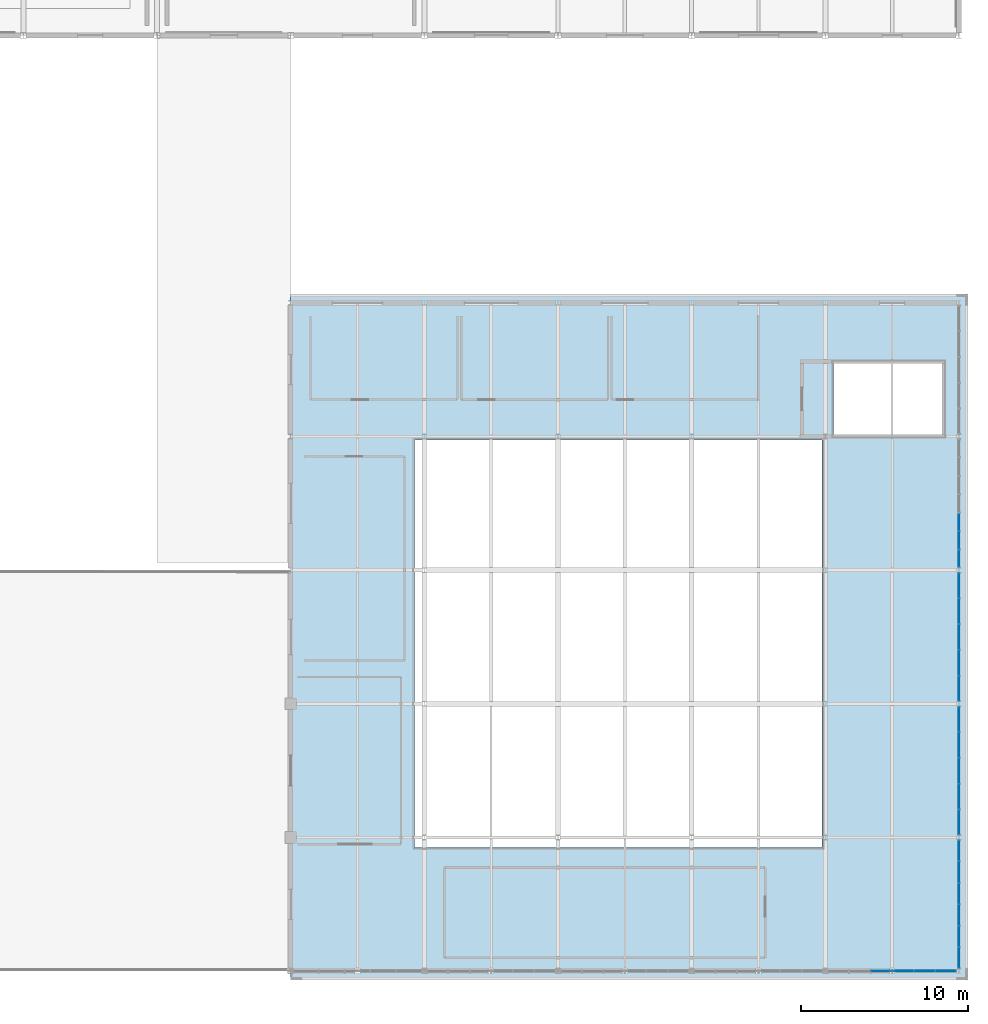
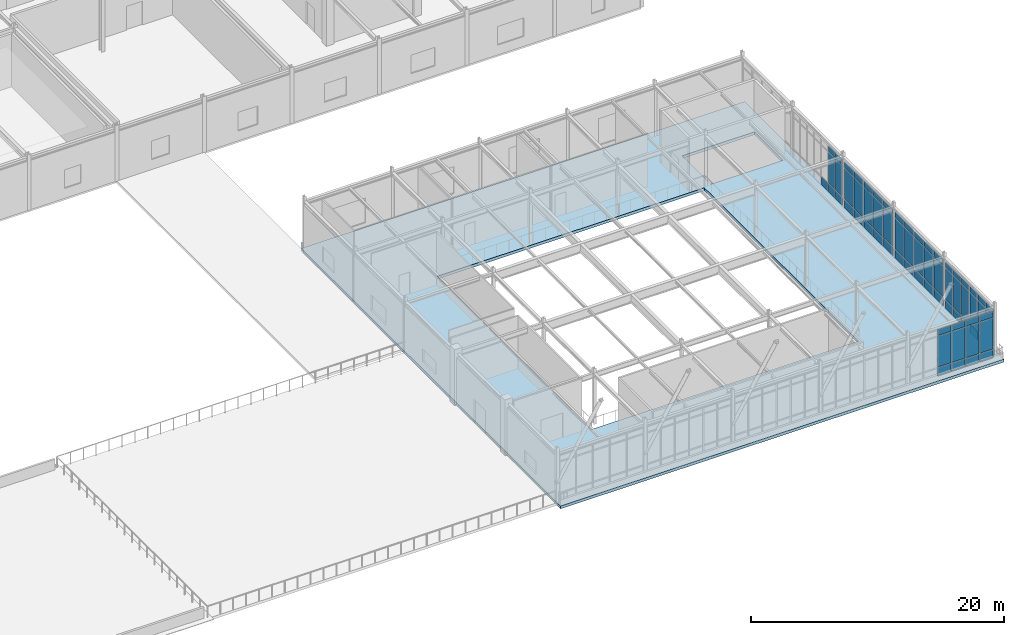
# One storey, part 69 of 108: 67 plates, 1 slab, 5 elements without a shape of their own.
"""IFC4 building model written with IfcOpenShell, lengths in metres."""

import ifcopenshell
import ifcopenshell.guid

model = None  # the IFC model being written
_history = None  # IfcOwnerHistory: only IFC2X3 demands one
_inside = {}  # id of a spatial element -> (the spatial element, [elements in it])
_under = {}  # id of a project, library or spatial element -> (it, [spatial elements below it])
_declared = {}  # id of a project -> (the project, [libraries it declares])
_typed = {}  # id of a type object -> (the type object, [elements of that type])
_made_of = {}  # id of a material, layer set ... -> (it, [elements and type objects made of it])


def new_model(schema):
    """Start an empty IFC model of exactly this schema.

    Asked for "IFC4X3", IfcOpenShell would pick the latest addendum, in which some entities
    have other attributes; the version numbers below select the first issue.
    IFC2X3 requires an IfcOwnerHistory on every rooted entity: one is made here for all.
    """
    global model, _history
    if schema == "IFC4X3":
        model = ifcopenshell.file(schema_version=(4, 3, 0, 0))
    else:
        model = ifcopenshell.file(schema=schema)
    _inside.clear()
    _under.clear()
    _declared.clear()
    _typed.clear()
    _made_of.clear()
    _history = None
    if model.schema == "IFC2X3":
        org = make("IfcOrganization", Name="unknown")
        user = make(
            "IfcPersonAndOrganization",
            ThePerson=make("IfcPerson", FamilyName="unknown"),
            TheOrganization=org,
        )
        app = make(
            "IfcApplication",
            ApplicationDeveloper=org,
            Version="unknown",
            ApplicationFullName="unknown",
            ApplicationIdentifier="unknown",
        )
        _history = make(
            "IfcOwnerHistory",
            OwningUser=user,
            OwningApplication=app,
            ChangeAction="ADDED",
            CreationDate=0,
        )
    return model


def make(cls, **values):
    """One entity of the class cls with the attributes given. An attribute that is None is left unset."""
    return model.create_entity(
        cls, **{name: value for name, value in values.items() if value is not None}
    )


def rooted(cls, **values):
    """An entity with a GlobalId (a new one), such as an element, a storey or a relation."""
    return make(cls, GlobalId=ifcopenshell.guid.new(), OwnerHistory=_history, **values)


def si_unit(unit_type, name, prefix=None):
    """IfcSIUnit, for example si_unit("LENGTHUNIT", "METRE", prefix="MILLI")."""
    return make("IfcSIUnit", UnitType=unit_type, Prefix=prefix, Name=name)


def assignment(units):
    """IfcUnitAssignment: the units of a project."""
    return None if units is None else make("IfcUnitAssignment", Units=units)


def point(xyz):
    """IfcCartesianPoint."""
    return None if xyz is None else make("IfcCartesianPoint", Coordinates=xyz)


def direction(xyz):
    """IfcDirection."""
    return None if xyz is None else make("IfcDirection", DirectionRatios=xyz)


def frame(location, z_axis=None, x_axis=None):
    """IfcAxis2Placement3D, a coordinate frame: its origin and axes. An axis left out is left unset."""
    return make(
        "IfcAxis2Placement3D",
        Location=point(location),
        Axis=direction(z_axis),
        RefDirection=direction(x_axis),
    )


def frame_2d(location, x_axis=None):
    """IfcAxis2Placement2D, a coordinate frame in the plane: its origin and x axis."""
    return make(
        "IfcAxis2Placement2D", Location=point(location), RefDirection=direction(x_axis)
    )


def origin():
    """The frame at (0, 0, 0) with its axes left unset."""
    return frame((0.0, 0.0, 0.0))


def origin_2d():
    """The frame at (0, 0) in the plane with its x axis left unset."""
    return frame_2d((0.0, 0.0))


def place(relative_to, where):
    """IfcLocalPlacement: puts the frame where relative to a parent placement (None: the world)."""
    return make(
        "IfcLocalPlacement", PlacementRelTo=relative_to, RelativePlacement=where
    )


def context(
    kind, dimensions, precision=None, world=None, true_north=None, identifier=None
):
    """IfcGeometricRepresentationContext, for example the 3D "Model" context."""
    return make(
        "IfcGeometricRepresentationContext",
        ContextIdentifier=identifier,
        ContextType=kind,
        CoordinateSpaceDimension=dimensions,
        Precision=precision,
        WorldCoordinateSystem=world,
        TrueNorth=true_north,
    )


def subcontext(parent, identifier, kind, view, scale=None):
    """IfcGeometricRepresentationSubContext, for example "Body" below "Model"."""
    return make(
        "IfcGeometricRepresentationSubContext",
        ContextIdentifier=identifier,
        ContextType=kind,
        ParentContext=parent,
        TargetScale=scale,
        TargetView=view,
    )


def project(units=None, contexts=None):
    """IfcProject with its units and contexts."""
    return rooted(
        "IfcProject",
        Name="project",
        RepresentationContexts=contexts,
        UnitsInContext=assignment(units),
    )


def spatial(cls, under=None, at=None, **own):
    """A site, building, storey or space (cls), placed at a placement, below another one or the project."""
    s = rooted(cls, ObjectPlacement=at, **own)
    if under is not None:
        _under.setdefault(under.id(), (under, []))[1].append(s)
    return s


def polyline(points):
    """IfcPolyline through the points."""
    return make("IfcPolyline", Points=[point(p) for p in points])


def profile(cls, at=None, kind="AREA", **sizes):
    """A parametric profile (cls). Its sizes go by their IFC names, for example OverallWidth=200.0."""
    return make(cls, ProfileType=kind, Position=at, **sizes)


def rectangle(**sizes):
    """IfcRectangleProfileDef."""
    return profile("IfcRectangleProfileDef", **sizes)


def outline(outer, holes=None, kind="AREA"):
    """IfcArbitraryClosedProfileDef: a profile drawn as a closed curve; with holes, ...WithVoids."""
    if holes is None:
        return make("IfcArbitraryClosedProfileDef", ProfileType=kind, OuterCurve=outer)
    return make(
        "IfcArbitraryProfileDefWithVoids",
        ProfileType=kind,
        OuterCurve=outer,
        InnerCurves=holes,
    )


def extrude(swept, where, along, depth):
    """IfcExtrudedAreaSolid: the profile swept, set in the frame where, extruded along a direction by depth."""
    return make(
        "IfcExtrudedAreaSolid",
        SweptArea=swept,
        Position=where,
        ExtrudedDirection=direction(along),
        Depth=depth,
    )


def shape(context_of_items, identifier, shape_type, items):
    """IfcShapeRepresentation: the items that make up one representation, for example the "Body"."""
    return make(
        "IfcShapeRepresentation",
        ContextOfItems=context_of_items,
        RepresentationIdentifier=identifier,
        RepresentationType=shape_type,
        Items=items,
    )


def material(Name=None, Category=None):
    """IfcMaterial."""
    return make("IfcMaterial", Name=Name, Category=Category)


def layer(
    of_material, thickness, ventilated=None, Name=None, Category=None, Priority=None
):
    """IfcMaterialLayer: one layer of a wall or slab, of a material (None: an air gap)."""
    return make(
        "IfcMaterialLayer",
        Material=of_material,
        LayerThickness=thickness,
        IsVentilated=ventilated,
        Name=Name,
        Category=Category,
        Priority=Priority,
    )


def layer_set(layers, Name=None):
    """IfcMaterialLayerSet."""
    return make("IfcMaterialLayerSet", MaterialLayers=layers, LayerSetName=Name)


def made_of(thing, what):
    """Note that an element or type object is made of a material, layer set ...; save() writes the relation."""
    if what is not None:
        _made_of.setdefault(what.id(), (what, []))[1].append(thing)
    return thing


def type_object(cls, material=None, **own):
    """A type object (cls), such as IfcWallType, which elements share."""
    return made_of(rooted(cls, **own), material)


def element(
    cls,
    number,
    at=None,
    inside=None,
    cuts=None,
    type_object=None,
    material=None,
    context=None,
    identifier="Body",
    shape_type=None,
    held_by="IfcProductDefinitionShape",
    body=None,
    shapes=None,
    **own,
):
    """One element of the class cls, such as IfcWall. Its Tag is "e" and its number.

    at: its placement. inside: the storey or other place that contains it. cuts: it is an
    opening in that element (IfcRelVoidsElement). A single representation is given by context,
    identifier, shape_type and body (its items); several are given by shapes. held_by: the class
    of the entity that holds the representations. save() writes the other relations.
    """
    e = rooted(cls, Tag="e%d" % number, ObjectPlacement=at, **own)
    if body is not None:
        shapes = [shape(context, identifier, shape_type, body)]
    if shapes is not None:
        e.Representation = make(held_by, Representations=shapes)
    if inside is not None:
        _inside.setdefault(inside.id(), (inside, []))[1].append(e)
    if cuts is not None:
        rooted(
            "IfcRelVoidsElement", RelatingBuildingElement=cuts, RelatedOpeningElement=e
        )
    if type_object is not None:
        _typed.setdefault(type_object.id(), (type_object, []))[1].append(e)
    return made_of(e, material)


def aggregate(whole, parts):
    """IfcRelAggregates: a whole, such as a stair, and the parts it consists of."""
    return rooted("IfcRelAggregates", RelatingObject=whole, RelatedObjects=parts)


def save(model, path):
    """Write the relations noted so far, then the file.

    IfcRelAggregates (storeys below a building ...), IfcRelContainedInSpatialStructure (elements
    in a storey), IfcRelDefinesByType, IfcRelAssociatesMaterial and IfcRelDeclares: one each for
    every whole, place, type object, material and project.
    """
    for whole, parts in _under.values():
        aggregate(whole, parts)
    for where, things in _inside.values():
        rooted(
            "IfcRelContainedInSpatialStructure",
            RelatedElements=things,
            RelatingStructure=where,
        )
    for kind, things in _typed.values():
        rooted("IfcRelDefinesByType", RelatedObjects=things, RelatingType=kind)
    for what, things in _made_of.values():
        rooted("IfcRelAssociatesMaterial", RelatedObjects=things, RelatingMaterial=what)
    for by, libraries in _declared.values():
        rooted("IfcRelDeclares", RelatingContext=by, RelatedDefinitions=libraries)
    model.write(path)


model = new_model("IFC4")

# Units and contexts
model_context = context("Model", 3, precision=1e-05, world=origin(), true_north=direction((0.0, 1.0)))
body_context = subcontext(model_context, "Body", "Model", "MODEL_VIEW")
ifc_project = project(units=[si_unit("LENGTHUNIT", "METRE"), si_unit("AREAUNIT", "SQUARE_METRE"), si_unit("VOLUMEUNIT", "CUBIC_METRE"), si_unit("PLANEANGLEUNIT", "RADIAN"), si_unit("MASSUNIT", "GRAM", prefix="KILO")], contexts=[model_context])

# Site, building, storey
site_placement = place(None, origin())
site = spatial("IfcSite", under=ifc_project, at=site_placement, CompositionType="ELEMENT")
building_placement = place(site_placement, origin())
building = spatial("IfcBuilding", under=site, at=building_placement, Name="Zhaolan Boulevard Law Courts", CompositionType="ELEMENT")
storey_placement = place(building_placement, frame((0.0, 0.0, 10.800048828125)))
storey = spatial("IfcBuildingStorey", under=building, at=storey_placement, Name="L02", CompositionType="ELEMENT", Elevation=10.800048828125)

# Curtain wall, plates
ifc_material_1 = material(Name="Thermally broken aluminium and low-E glazing", Category="aluminium")
curtain_wall_type_1 = type_object("IfcCurtainWallType", Name="CURTAIN WALL M14", PredefinedType="USERDEFINED", material=ifc_material_1)
curtain_wall_1_placement = place(storey_placement, origin())
curtain_wall_1 = element("IfcCurtainWall", 1, at=curtain_wall_1_placement, inside=storey, type_object=curtain_wall_type_1, Name="Curtain Wall CW-L02-086", ObjectType="CURTAIN WALL", PredefinedType="USERDEFINED")
ifc_material_2 = material(Name="Triple-silver low-E insulated glazing", Category="glass")
ifc_layer_1 = layer(ifc_material_2, 0.028076171875)
ifc_layer_set_1 = layer_set([ifc_layer_1])
plate_type = type_object("IfcPlateType", Name="CWPANEL LOW E28", PredefinedType="CURTAIN_PANEL", material=ifc_layer_set_1)
plate_1_placement = place(storey_placement, frame((159.3544921875, 6.0, 0.06494140625), z_axis=(0.0, 0.0, 1.0), x_axis=(1.0, 0.0, 0.0)))
plate_1 = element("IfcPlate", 2, at=plate_1_placement, type_object=plate_type, Name="CW-L02-086 panel 3.1", PredefinedType="CURTAIN_PANEL", context=body_context, shape_type="SweptSolid", body=[
    extrude(rectangle(XDim=1.22607421875, YDim=0.028076171875, at=origin_2d()), origin(), (0.0, 0.0, 1.0), 0.802490234375),
])
plate_2_placement = place(storey_placement, frame((159.3544921875, 6.0, 0.9326171875), z_axis=(0.0, 0.0, 1.0), x_axis=(1.0, 0.0, 0.0)))
plate_2 = element("IfcPlate", 3, at=plate_2_placement, type_object=plate_type, Name="CW-L02-086 panel 3.2", PredefinedType="CURTAIN_PANEL", context=body_context, shape_type="SweptSolid", body=[
    extrude(rectangle(XDim=1.22607421875, YDim=0.028076171875, at=origin_2d()), origin(), (0.0, 0.0, 1.0), 2.988037109375),
])
plate_3_placement = place(storey_placement, frame((159.3544921875, 6.0, 3.9853515625), z_axis=(0.0, 0.0, 1.0), x_axis=(1.0, 0.0, 0.0)))
plate_3 = element("IfcPlate", 4, at=plate_3_placement, type_object=plate_type, Name="CW-L02-086 panel 3.3", PredefinedType="CURTAIN_PANEL", context=body_context, shape_type="SweptSolid", body=[
    extrude(rectangle(XDim=1.22607421875, YDim=0.028076171875, at=origin_2d()), origin(), (0.0, 0.0, 1.0), 0.552490234375),
])
plate_4_placement = place(storey_placement, frame((160.6455078125, 6.0, 0.06494140625), z_axis=(0.0, 0.0, 1.0), x_axis=(1.0, 0.0, 0.0)))
plate_4 = element("IfcPlate", 5, at=plate_4_placement, type_object=plate_type, Name="CW-L02-086 panel 4.1", PredefinedType="CURTAIN_PANEL", context=body_context, shape_type="SweptSolid", body=[
    extrude(rectangle(XDim=1.22607421875, YDim=0.028076171875, at=origin_2d()), origin(), (0.0, 0.0, 1.0), 0.802490234375),
])
plate_5_placement = place(storey_placement, frame((160.6455078125, 6.0, 0.9326171875), z_axis=(0.0, 0.0, 1.0), x_axis=(1.0, 0.0, 0.0)))
plate_5 = element("IfcPlate", 6, at=plate_5_placement, type_object=plate_type, Name="CW-L02-086 panel 4.2", PredefinedType="CURTAIN_PANEL", context=body_context, shape_type="SweptSolid", body=[
    extrude(rectangle(XDim=1.22607421875, YDim=0.028076171875, at=origin_2d()), origin(), (0.0, 0.0, 1.0), 2.988037109375),
])
plate_6_placement = place(storey_placement, frame((160.6455078125, 6.0, 3.9853515625), z_axis=(0.0, 0.0, 1.0), x_axis=(1.0, 0.0, 0.0)))
plate_6 = element("IfcPlate", 7, at=plate_6_placement, type_object=plate_type, Name="CW-L02-086 panel 4.3", PredefinedType="CURTAIN_PANEL", context=body_context, shape_type="SweptSolid", body=[
    extrude(rectangle(XDim=1.22607421875, YDim=0.028076171875, at=origin_2d()), origin(), (0.0, 0.0, 1.0), 0.552490234375),
])
plate_7_placement = place(storey_placement, frame((161.9365234375, 6.0, 0.06494140625), z_axis=(0.0, 0.0, 1.0), x_axis=(1.0, 0.0, 0.0)))
plate_7 = element("IfcPlate", 8, at=plate_7_placement, type_object=plate_type, Name="CW-L02-086 panel 5.1", PredefinedType="CURTAIN_PANEL", context=body_context, shape_type="SweptSolid", body=[
    extrude(rectangle(XDim=1.22607421875, YDim=0.028076171875, at=origin_2d()), origin(), (0.0, 0.0, 1.0), 0.802490234375),
])
plate_8_placement = place(storey_placement, frame((161.9365234375, 6.0, 0.9326171875), z_axis=(0.0, 0.0, 1.0), x_axis=(1.0, 0.0, 0.0)))
plate_8 = element("IfcPlate", 9, at=plate_8_placement, type_object=plate_type, Name="CW-L02-086 panel 5.2", PredefinedType="CURTAIN_PANEL", context=body_context, shape_type="SweptSolid", body=[
    extrude(rectangle(XDim=1.22607421875, YDim=0.028076171875, at=origin_2d()), origin(), (0.0, 0.0, 1.0), 2.988037109375),
])
plate_9_placement = place(storey_placement, frame((161.9365234375, 6.0, 3.9853515625), z_axis=(0.0, 0.0, 1.0), x_axis=(1.0, 0.0, 0.0)))
plate_9 = element("IfcPlate", 10, at=plate_9_placement, type_object=plate_type, Name="CW-L02-086 panel 5.3", PredefinedType="CURTAIN_PANEL", context=body_context, shape_type="SweptSolid", body=[
    extrude(rectangle(XDim=1.22607421875, YDim=0.028076171875, at=origin_2d()), origin(), (0.0, 0.0, 1.0), 0.552490234375),
])
plate_10_placement = place(storey_placement, frame((163.211181640625, 6.0, 0.06494140625), z_axis=(0.0, 0.0, 1.0), x_axis=(1.0, 0.0, 0.0)))
plate_10 = element("IfcPlate", 11, at=plate_10_placement, type_object=plate_type, Name="CW-L02-086 panel 6.1", PredefinedType="CURTAIN_PANEL", context=body_context, shape_type="SweptSolid", body=[
    extrude(rectangle(XDim=1.193603515625, YDim=0.028076171875, at=origin_2d()), origin(), (0.0, 0.0, 1.0), 0.802490234375),
])
plate_11_placement = place(storey_placement, frame((163.211181640625, 6.0, 0.9326171875), z_axis=(0.0, 0.0, 1.0), x_axis=(1.0, 0.0, 0.0)))
plate_11 = element("IfcPlate", 12, at=plate_11_placement, type_object=plate_type, Name="CW-L02-086 panel 6.2", PredefinedType="CURTAIN_PANEL", context=body_context, shape_type="SweptSolid", body=[
    extrude(rectangle(XDim=1.193603515625, YDim=0.028076171875, at=origin_2d()), origin(), (0.0, 0.0, 1.0), 2.988037109375),
])
plate_12_placement = place(storey_placement, frame((163.211181640625, 6.0, 3.9853515625), z_axis=(0.0, 0.0, 1.0), x_axis=(1.0, 0.0, 0.0)))
plate_12 = element("IfcPlate", 13, at=plate_12_placement, type_object=plate_type, Name="CW-L02-086 panel 6.3", PredefinedType="CURTAIN_PANEL", context=body_context, shape_type="SweptSolid", body=[
    extrude(rectangle(XDim=1.193603515625, YDim=0.028076171875, at=origin_2d()), origin(), (0.0, 0.0, 1.0), 0.552490234375),
])
aggregate(curtain_wall_1, [plate_1, plate_2, plate_3, plate_4, plate_5, plate_6, plate_7, plate_8, plate_9, plate_10, plate_11, plate_12])

ifc_material_3 = material(Name="Thermally broken aluminium and low-E glazing", Category="aluminium")
curtain_wall_type_2 = type_object("IfcCurtainWallType", Name="CURTAIN WALL M15", PredefinedType="USERDEFINED", material=ifc_material_3)
curtain_wall_2_placement = place(storey_placement, origin())
curtain_wall_2 = element("IfcCurtainWall", 14, at=curtain_wall_2_placement, inside=storey, type_object=curtain_wall_type_2, Name="Curtain Wall CW-L02-087", ObjectType="CURTAIN WALL", PredefinedType="USERDEFINED")
plate_13_placement = place(storey_placement, frame((164.0, 6.788818359375, 0.06494140625), z_axis=(0.0, 0.0, 1.0), x_axis=(0.0, 1.0, 0.0)))
plate_13 = element("IfcPlate", 15, at=plate_13_placement, type_object=plate_type, Name="CW-L02-087 panel 1.1", PredefinedType="CURTAIN_PANEL", context=body_context, shape_type="SweptSolid", body=[
    extrude(rectangle(XDim=1.193603515625, YDim=0.028076171875, at=origin_2d()), origin(), (0.0, 0.0, 1.0), 0.802490234375),
])
plate_14_placement = place(storey_placement, frame((164.0, 6.788818359375, 0.9326171875), z_axis=(0.0, 0.0, 1.0), x_axis=(0.0, 1.0, 0.0)))
plate_14 = element("IfcPlate", 16, at=plate_14_placement, type_object=plate_type, Name="CW-L02-087 panel 1.2", PredefinedType="CURTAIN_PANEL", context=body_context, shape_type="SweptSolid", body=[
    extrude(rectangle(XDim=1.193603515625, YDim=0.028076171875, at=origin_2d()), origin(), (0.0, 0.0, 1.0), 2.988037109375),
])
plate_15_placement = place(storey_placement, frame((164.0, 6.788818359375, 3.9853515625), z_axis=(0.0, 0.0, 1.0), x_axis=(0.0, 1.0, 0.0)))
plate_15 = element("IfcPlate", 17, at=plate_15_placement, type_object=plate_type, Name="CW-L02-087 panel 1.3", PredefinedType="CURTAIN_PANEL", context=body_context, shape_type="SweptSolid", body=[
    extrude(rectangle(XDim=1.193603515625, YDim=0.028076171875, at=origin_2d()), origin(), (0.0, 0.0, 1.0), 0.552490234375),
])
plate_16_placement = place(storey_placement, frame((164.0, 8.0634765625, 0.06494140625), z_axis=(0.0, 0.0, 1.0), x_axis=(0.0, 1.0, 0.0)))
plate_16 = element("IfcPlate", 18, at=plate_16_placement, type_object=plate_type, Name="CW-L02-087 panel 2.1", PredefinedType="CURTAIN_PANEL", context=body_context, shape_type="SweptSolid", body=[
    extrude(rectangle(XDim=1.22607421875, YDim=0.028076171875, at=origin_2d()), origin(), (0.0, 0.0, 1.0), 0.802490234375),
])
plate_17_placement = place(storey_placement, frame((164.0, 8.0634765625, 0.9326171875), z_axis=(0.0, 0.0, 1.0), x_axis=(0.0, 1.0, 0.0)))
plate_17 = element("IfcPlate", 19, at=plate_17_placement, type_object=plate_type, Name="CW-L02-087 panel 2.2", PredefinedType="CURTAIN_PANEL", context=body_context, shape_type="SweptSolid", body=[
    extrude(rectangle(XDim=1.22607421875, YDim=0.028076171875, at=origin_2d()), origin(), (0.0, 0.0, 1.0), 2.988037109375),
])
plate_18_placement = place(storey_placement, frame((164.0, 8.0634765625, 3.9853515625), z_axis=(0.0, 0.0, 1.0), x_axis=(0.0, 1.0, 0.0)))
plate_18 = element("IfcPlate", 20, at=plate_18_placement, type_object=plate_type, Name="CW-L02-087 panel 2.3", PredefinedType="CURTAIN_PANEL", context=body_context, shape_type="SweptSolid", body=[
    extrude(rectangle(XDim=1.22607421875, YDim=0.028076171875, at=origin_2d()), origin(), (0.0, 0.0, 1.0), 0.552490234375),
])
plate_19_placement = place(storey_placement, frame((164.0, 9.3544921875, 0.06494140625), z_axis=(0.0, 0.0, 1.0), x_axis=(0.0, 1.0, 0.0)))
plate_19 = element("IfcPlate", 21, at=plate_19_placement, type_object=plate_type, Name="CW-L02-087 panel 3.1", PredefinedType="CURTAIN_PANEL", context=body_context, shape_type="SweptSolid", body=[
    extrude(rectangle(XDim=1.22607421875, YDim=0.028076171875, at=origin_2d()), origin(), (0.0, 0.0, 1.0), 0.802490234375),
])
plate_20_placement = place(storey_placement, frame((164.0, 9.3544921875, 0.9326171875), z_axis=(0.0, 0.0, 1.0), x_axis=(0.0, 1.0, 0.0)))
plate_20 = element("IfcPlate", 22, at=plate_20_placement, type_object=plate_type, Name="CW-L02-087 panel 3.2", PredefinedType="CURTAIN_PANEL", context=body_context, shape_type="SweptSolid", body=[
    extrude(rectangle(XDim=1.22607421875, YDim=0.028076171875, at=origin_2d()), origin(), (0.0, 0.0, 1.0), 2.988037109375),
])
plate_21_placement = place(storey_placement, frame((164.0, 9.3544921875, 3.9853515625), z_axis=(0.0, 0.0, 1.0), x_axis=(0.0, 1.0, 0.0)))
plate_21 = element("IfcPlate", 23, at=plate_21_placement, type_object=plate_type, Name="CW-L02-087 panel 3.3", PredefinedType="CURTAIN_PANEL", context=body_context, shape_type="SweptSolid", body=[
    extrude(rectangle(XDim=1.22607421875, YDim=0.028076171875, at=origin_2d()), origin(), (0.0, 0.0, 1.0), 0.552490234375),
])
plate_22_placement = place(storey_placement, frame((164.0, 10.6455078125, 0.06494140625), z_axis=(0.0, 0.0, 1.0), x_axis=(0.0, 1.0, 0.0)))
plate_22 = element("IfcPlate", 24, at=plate_22_placement, type_object=plate_type, Name="CW-L02-087 panel 4.1", PredefinedType="CURTAIN_PANEL", context=body_context, shape_type="SweptSolid", body=[
    extrude(rectangle(XDim=1.22607421875, YDim=0.028076171875, at=origin_2d()), origin(), (0.0, 0.0, 1.0), 0.802490234375),
])
plate_23_placement = place(storey_placement, frame((164.0, 10.6455078125, 0.9326171875), z_axis=(0.0, 0.0, 1.0), x_axis=(0.0, 1.0, 0.0)))
plate_23 = element("IfcPlate", 25, at=plate_23_placement, type_object=plate_type, Name="CW-L02-087 panel 4.2", PredefinedType="CURTAIN_PANEL", context=body_context, shape_type="SweptSolid", body=[
    extrude(rectangle(XDim=1.22607421875, YDim=0.028076171875, at=origin_2d()), origin(), (0.0, 0.0, 1.0), 2.988037109375),
])
plate_24_placement = place(storey_placement, frame((164.0, 10.6455078125, 3.9853515625), z_axis=(0.0, 0.0, 1.0), x_axis=(0.0, 1.0, 0.0)))
plate_24 = element("IfcPlate", 26, at=plate_24_placement, type_object=plate_type, Name="CW-L02-087 panel 4.3", PredefinedType="CURTAIN_PANEL", context=body_context, shape_type="SweptSolid", body=[
    extrude(rectangle(XDim=1.22607421875, YDim=0.028076171875, at=origin_2d()), origin(), (0.0, 0.0, 1.0), 0.552490234375),
])
plate_25_placement = place(storey_placement, frame((164.0, 11.9365234375, 0.06494140625), z_axis=(0.0, 0.0, 1.0), x_axis=(0.0, 1.0, 0.0)))
plate_25 = element("IfcPlate", 27, at=plate_25_placement, type_object=plate_type, Name="CW-L02-087 panel 5.1", PredefinedType="CURTAIN_PANEL", context=body_context, shape_type="SweptSolid", body=[
    extrude(rectangle(XDim=1.22607421875, YDim=0.028076171875, at=origin_2d()), origin(), (0.0, 0.0, 1.0), 0.802490234375),
])
plate_26_placement = place(storey_placement, frame((164.0, 11.9365234375, 0.9326171875), z_axis=(0.0, 0.0, 1.0), x_axis=(0.0, 1.0, 0.0)))
plate_26 = element("IfcPlate", 28, at=plate_26_placement, type_object=plate_type, Name="CW-L02-087 panel 5.2", PredefinedType="CURTAIN_PANEL", context=body_context, shape_type="SweptSolid", body=[
    extrude(rectangle(XDim=1.22607421875, YDim=0.028076171875, at=origin_2d()), origin(), (0.0, 0.0, 1.0), 2.988037109375),
])
plate_27_placement = place(storey_placement, frame((164.0, 11.9365234375, 3.9853515625), z_axis=(0.0, 0.0, 1.0), x_axis=(0.0, 1.0, 0.0)))
plate_27 = element("IfcPlate", 29, at=plate_27_placement, type_object=plate_type, Name="CW-L02-087 panel 5.3", PredefinedType="CURTAIN_PANEL", context=body_context, shape_type="SweptSolid", body=[
    extrude(rectangle(XDim=1.22607421875, YDim=0.028076171875, at=origin_2d()), origin(), (0.0, 0.0, 1.0), 0.552490234375),
])
plate_28_placement = place(storey_placement, frame((164.0, 13.211181640625, 0.06494140625), z_axis=(0.0, 0.0, 1.0), x_axis=(0.0, 1.0, 0.0)))
plate_28 = element("IfcPlate", 30, at=plate_28_placement, type_object=plate_type, Name="CW-L02-087 panel 6.1", PredefinedType="CURTAIN_PANEL", context=body_context, shape_type="SweptSolid", body=[
    extrude(rectangle(XDim=1.193603515625, YDim=0.028076171875, at=origin_2d()), origin(), (0.0, 0.0, 1.0), 0.802490234375),
])
plate_29_placement = place(storey_placement, frame((164.0, 13.211181640625, 0.9326171875), z_axis=(0.0, 0.0, 1.0), x_axis=(0.0, 1.0, 0.0)))
plate_29 = element("IfcPlate", 31, at=plate_29_placement, type_object=plate_type, Name="CW-L02-087 panel 6.2", PredefinedType="CURTAIN_PANEL", context=body_context, shape_type="SweptSolid", body=[
    extrude(rectangle(XDim=1.193603515625, YDim=0.028076171875, at=origin_2d()), origin(), (0.0, 0.0, 1.0), 2.988037109375),
])
plate_30_placement = place(storey_placement, frame((164.0, 13.211181640625, 3.9853515625), z_axis=(0.0, 0.0, 1.0), x_axis=(0.0, 1.0, 0.0)))
plate_30 = element("IfcPlate", 32, at=plate_30_placement, type_object=plate_type, Name="CW-L02-087 panel 6.3", PredefinedType="CURTAIN_PANEL", context=body_context, shape_type="SweptSolid", body=[
    extrude(rectangle(XDim=1.193603515625, YDim=0.028076171875, at=origin_2d()), origin(), (0.0, 0.0, 1.0), 0.552490234375),
])
aggregate(curtain_wall_2, [plate_13, plate_14, plate_15, plate_16, plate_17, plate_18, plate_19, plate_20, plate_21, plate_22, plate_23, plate_24, plate_25, plate_26, plate_27, plate_28, plate_29, plate_30])

ifc_material_4 = material(Name="Thermally broken aluminium and low-E glazing", Category="aluminium")
curtain_wall_type_3 = type_object("IfcCurtainWallType", Name="CURTAIN WALL M16", PredefinedType="USERDEFINED", material=ifc_material_4)
curtain_wall_3_placement = place(storey_placement, origin())
curtain_wall_3 = element("IfcCurtainWall", 33, at=curtain_wall_3_placement, inside=storey, type_object=curtain_wall_type_3, Name="Curtain Wall CW-L02-088", ObjectType="CURTAIN WALL", PredefinedType="USERDEFINED")
plate_31_placement = place(storey_placement, frame((164.0, 14.91796875, 0.06494140625), z_axis=(0.0, 0.0, 1.0), x_axis=(0.0, 1.0, 0.0)))
plate_31 = element("IfcPlate", 34, at=plate_31_placement, type_object=plate_type, Name="CW-L02-088 panel 1.1", PredefinedType="CURTAIN_PANEL", context=body_context, shape_type="SweptSolid", body=[
    extrude(rectangle(XDim=1.45166015625, YDim=0.028076171875, at=origin_2d()), origin(), (0.0, 0.0, 1.0), 0.802490234375),
])
plate_32_placement = place(storey_placement, frame((164.0, 14.91796875, 0.9326171875), z_axis=(0.0, 0.0, 1.0), x_axis=(0.0, 1.0, 0.0)))
plate_32 = element("IfcPlate", 35, at=plate_32_placement, type_object=plate_type, Name="CW-L02-088 panel 1.2", PredefinedType="CURTAIN_PANEL", context=body_context, shape_type="SweptSolid", body=[
    extrude(rectangle(XDim=1.45166015625, YDim=0.028076171875, at=origin_2d()), origin(), (0.0, 0.0, 1.0), 2.988037109375),
])
plate_33_placement = place(storey_placement, frame((164.0, 14.91796875, 3.9853515625), z_axis=(0.0, 0.0, 1.0), x_axis=(0.0, 1.0, 0.0)))
plate_33 = element("IfcPlate", 36, at=plate_33_placement, type_object=plate_type, Name="CW-L02-088 panel 1.3", PredefinedType="CURTAIN_PANEL", context=body_context, shape_type="SweptSolid", body=[
    extrude(rectangle(XDim=1.45166015625, YDim=0.028076171875, at=origin_2d()), origin(), (0.0, 0.0, 1.0), 0.552490234375),
])
plate_34_placement = place(storey_placement, frame((164.0, 16.45068359375, 0.06494140625), z_axis=(0.0, 0.0, 1.0), x_axis=(0.0, 1.0, 0.0)))
plate_34 = element("IfcPlate", 37, at=plate_34_placement, type_object=plate_type, Name="CW-L02-088 panel 2.1", PredefinedType="CURTAIN_PANEL", context=body_context, shape_type="SweptSolid", body=[
    extrude(rectangle(XDim=1.484130859375, YDim=0.028076171875, at=origin_2d()), origin(), (0.0, 0.0, 1.0), 0.802490234375),
])
plate_35_placement = place(storey_placement, frame((164.0, 16.45068359375, 0.9326171875), z_axis=(0.0, 0.0, 1.0), x_axis=(0.0, 1.0, 0.0)))
plate_35 = element("IfcPlate", 38, at=plate_35_placement, type_object=plate_type, Name="CW-L02-088 panel 2.2", PredefinedType="CURTAIN_PANEL", context=body_context, shape_type="SweptSolid", body=[
    extrude(rectangle(XDim=1.484130859375, YDim=0.028076171875, at=origin_2d()), origin(), (0.0, 0.0, 1.0), 2.988037109375),
])
plate_36_placement = place(storey_placement, frame((164.0, 16.45068359375, 3.9853515625), z_axis=(0.0, 0.0, 1.0), x_axis=(0.0, 1.0, 0.0)))
plate_36 = element("IfcPlate", 39, at=plate_36_placement, type_object=plate_type, Name="CW-L02-088 panel 2.3", PredefinedType="CURTAIN_PANEL", context=body_context, shape_type="SweptSolid", body=[
    extrude(rectangle(XDim=1.484130859375, YDim=0.028076171875, at=origin_2d()), origin(), (0.0, 0.0, 1.0), 0.552490234375),
])
plate_37_placement = place(storey_placement, frame((164.0, 18.0, 0.06494140625), z_axis=(0.0, 0.0, 1.0), x_axis=(0.0, 1.0, 0.0)))
plate_37 = element("IfcPlate", 40, at=plate_37_placement, type_object=plate_type, Name="CW-L02-088 panel 3.1", PredefinedType="CURTAIN_PANEL", context=body_context, shape_type="SweptSolid", body=[
    extrude(rectangle(XDim=1.484130859375, YDim=0.028076171875, at=origin_2d()), origin(), (0.0, 0.0, 1.0), 0.802490234375),
])
plate_38_placement = place(storey_placement, frame((164.0, 18.0, 0.9326171875), z_axis=(0.0, 0.0, 1.0), x_axis=(0.0, 1.0, 0.0)))
plate_38 = element("IfcPlate", 41, at=plate_38_placement, type_object=plate_type, Name="CW-L02-088 panel 3.2", PredefinedType="CURTAIN_PANEL", context=body_context, shape_type="SweptSolid", body=[
    extrude(rectangle(XDim=1.484130859375, YDim=0.028076171875, at=origin_2d()), origin(), (0.0, 0.0, 1.0), 2.988037109375),
])
plate_39_placement = place(storey_placement, frame((164.0, 18.0, 3.9853515625), z_axis=(0.0, 0.0, 1.0), x_axis=(0.0, 1.0, 0.0)))
plate_39 = element("IfcPlate", 42, at=plate_39_placement, type_object=plate_type, Name="CW-L02-088 panel 3.3", PredefinedType="CURTAIN_PANEL", context=body_context, shape_type="SweptSolid", body=[
    extrude(rectangle(XDim=1.484130859375, YDim=0.028076171875, at=origin_2d()), origin(), (0.0, 0.0, 1.0), 0.552490234375),
])
plate_40_placement = place(storey_placement, frame((164.0, 19.54931640625, 0.06494140625), z_axis=(0.0, 0.0, 1.0), x_axis=(0.0, 1.0, 0.0)))
plate_40 = element("IfcPlate", 43, at=plate_40_placement, type_object=plate_type, Name="CW-L02-088 panel 4.1", PredefinedType="CURTAIN_PANEL", context=body_context, shape_type="SweptSolid", body=[
    extrude(rectangle(XDim=1.484130859375, YDim=0.028076171875, at=origin_2d()), origin(), (0.0, 0.0, 1.0), 0.802490234375),
])
plate_41_placement = place(storey_placement, frame((164.0, 19.54931640625, 0.9326171875), z_axis=(0.0, 0.0, 1.0), x_axis=(0.0, 1.0, 0.0)))
plate_41 = element("IfcPlate", 44, at=plate_41_placement, type_object=plate_type, Name="CW-L02-088 panel 4.2", PredefinedType="CURTAIN_PANEL", context=body_context, shape_type="SweptSolid", body=[
    extrude(rectangle(XDim=1.484130859375, YDim=0.028076171875, at=origin_2d()), origin(), (0.0, 0.0, 1.0), 2.988037109375),
])
plate_42_placement = place(storey_placement, frame((164.0, 19.54931640625, 3.9853515625), z_axis=(0.0, 0.0, 1.0), x_axis=(0.0, 1.0, 0.0)))
plate_42 = element("IfcPlate", 45, at=plate_42_placement, type_object=plate_type, Name="CW-L02-088 panel 4.3", PredefinedType="CURTAIN_PANEL", context=body_context, shape_type="SweptSolid", body=[
    extrude(rectangle(XDim=1.484130859375, YDim=0.028076171875, at=origin_2d()), origin(), (0.0, 0.0, 1.0), 0.552490234375),
])
plate_43_placement = place(storey_placement, frame((164.0, 21.08203125, 0.06494140625), z_axis=(0.0, 0.0, 1.0), x_axis=(0.0, 1.0, 0.0)))
plate_43 = element("IfcPlate", 46, at=plate_43_placement, type_object=plate_type, Name="CW-L02-088 panel 5.1", PredefinedType="CURTAIN_PANEL", context=body_context, shape_type="SweptSolid", body=[
    extrude(rectangle(XDim=1.45166015625, YDim=0.028076171875, at=origin_2d()), origin(), (0.0, 0.0, 1.0), 0.802490234375),
])
plate_44_placement = place(storey_placement, frame((164.0, 21.08203125, 0.9326171875), z_axis=(0.0, 0.0, 1.0), x_axis=(0.0, 1.0, 0.0)))
plate_44 = element("IfcPlate", 47, at=plate_44_placement, type_object=plate_type, Name="CW-L02-088 panel 5.2", PredefinedType="CURTAIN_PANEL", context=body_context, shape_type="SweptSolid", body=[
    extrude(rectangle(XDim=1.45166015625, YDim=0.028076171875, at=origin_2d()), origin(), (0.0, 0.0, 1.0), 2.988037109375),
])
plate_45_placement = place(storey_placement, frame((164.0, 21.08203125, 3.9853515625), z_axis=(0.0, 0.0, 1.0), x_axis=(0.0, 1.0, 0.0)))
plate_45 = element("IfcPlate", 48, at=plate_45_placement, type_object=plate_type, Name="CW-L02-088 panel 5.3", PredefinedType="CURTAIN_PANEL", context=body_context, shape_type="SweptSolid", body=[
    extrude(rectangle(XDim=1.45166015625, YDim=0.028076171875, at=origin_2d()), origin(), (0.0, 0.0, 1.0), 0.552490234375),
])
aggregate(curtain_wall_3, [plate_31, plate_32, plate_33, plate_34, plate_35, plate_36, plate_37, plate_38, plate_39, plate_40, plate_41, plate_42, plate_43, plate_44, plate_45])

ifc_material_5 = material(Name="Thermally broken aluminium and low-E glazing", Category="aluminium")
curtain_wall_type_4 = type_object("IfcCurtainWallType", Name="CURTAIN WALL M17", PredefinedType="USERDEFINED", material=ifc_material_5)
curtain_wall_4_placement = place(storey_placement, origin())
curtain_wall_4 = element("IfcCurtainWall", 49, at=curtain_wall_4_placement, inside=storey, type_object=curtain_wall_type_4, Name="Curtain Wall CW-L02-089", ObjectType="CURTAIN WALL", PredefinedType="USERDEFINED")
plate_46_placement = place(storey_placement, frame((164.0, 22.91796875, 0.06494140625), z_axis=(0.0, 0.0, 1.0), x_axis=(0.0, 1.0, 0.0)))
plate_46 = element("IfcPlate", 50, at=plate_46_placement, type_object=plate_type, Name="CW-L02-089 panel 1.1", PredefinedType="CURTAIN_PANEL", context=body_context, shape_type="SweptSolid", body=[
    extrude(rectangle(XDim=1.45166015625, YDim=0.028076171875, at=origin_2d()), origin(), (0.0, 0.0, 1.0), 0.802490234375),
])
plate_47_placement = place(storey_placement, frame((164.0, 22.91796875, 0.9326171875), z_axis=(0.0, 0.0, 1.0), x_axis=(0.0, 1.0, 0.0)))
plate_47 = element("IfcPlate", 51, at=plate_47_placement, type_object=plate_type, Name="CW-L02-089 panel 1.2", PredefinedType="CURTAIN_PANEL", context=body_context, shape_type="SweptSolid", body=[
    extrude(rectangle(XDim=1.45166015625, YDim=0.028076171875, at=origin_2d()), origin(), (0.0, 0.0, 1.0), 2.988037109375),
])
plate_48_placement = place(storey_placement, frame((164.0, 22.91796875, 3.9853515625), z_axis=(0.0, 0.0, 1.0), x_axis=(0.0, 1.0, 0.0)))
plate_48 = element("IfcPlate", 52, at=plate_48_placement, type_object=plate_type, Name="CW-L02-089 panel 1.3", PredefinedType="CURTAIN_PANEL", context=body_context, shape_type="SweptSolid", body=[
    extrude(rectangle(XDim=1.45166015625, YDim=0.028076171875, at=origin_2d()), origin(), (0.0, 0.0, 1.0), 0.552490234375),
])
plate_49_placement = place(storey_placement, frame((164.0, 24.45068359375, 0.06494140625), z_axis=(0.0, 0.0, 1.0), x_axis=(0.0, 1.0, 0.0)))
plate_49 = element("IfcPlate", 53, at=plate_49_placement, type_object=plate_type, Name="CW-L02-089 panel 2.1", PredefinedType="CURTAIN_PANEL", context=body_context, shape_type="SweptSolid", body=[
    extrude(rectangle(XDim=1.484130859375, YDim=0.028076171875, at=origin_2d()), origin(), (0.0, 0.0, 1.0), 0.802490234375),
])
plate_50_placement = place(storey_placement, frame((164.0, 24.45068359375, 0.9326171875), z_axis=(0.0, 0.0, 1.0), x_axis=(0.0, 1.0, 0.0)))
plate_50 = element("IfcPlate", 54, at=plate_50_placement, type_object=plate_type, Name="CW-L02-089 panel 2.2", PredefinedType="CURTAIN_PANEL", context=body_context, shape_type="SweptSolid", body=[
    extrude(rectangle(XDim=1.484130859375, YDim=0.028076171875, at=origin_2d()), origin(), (0.0, 0.0, 1.0), 2.988037109375),
])
plate_51_placement = place(storey_placement, frame((164.0, 24.45068359375, 3.9853515625), z_axis=(0.0, 0.0, 1.0), x_axis=(0.0, 1.0, 0.0)))
plate_51 = element("IfcPlate", 55, at=plate_51_placement, type_object=plate_type, Name="CW-L02-089 panel 2.3", PredefinedType="CURTAIN_PANEL", context=body_context, shape_type="SweptSolid", body=[
    extrude(rectangle(XDim=1.484130859375, YDim=0.028076171875, at=origin_2d()), origin(), (0.0, 0.0, 1.0), 0.552490234375),
])
plate_52_placement = place(storey_placement, frame((164.0, 26.0, 0.06494140625), z_axis=(0.0, 0.0, 1.0), x_axis=(0.0, 1.0, 0.0)))
plate_52 = element("IfcPlate", 56, at=plate_52_placement, type_object=plate_type, Name="CW-L02-089 panel 3.1", PredefinedType="CURTAIN_PANEL", context=body_context, shape_type="SweptSolid", body=[
    extrude(rectangle(XDim=1.484130859375, YDim=0.028076171875, at=origin_2d()), origin(), (0.0, 0.0, 1.0), 0.802490234375),
])
plate_53_placement = place(storey_placement, frame((164.0, 26.0, 0.9326171875), z_axis=(0.0, 0.0, 1.0), x_axis=(0.0, 1.0, 0.0)))
plate_53 = element("IfcPlate", 57, at=plate_53_placement, type_object=plate_type, Name="CW-L02-089 panel 3.2", PredefinedType="CURTAIN_PANEL", context=body_context, shape_type="SweptSolid", body=[
    extrude(rectangle(XDim=1.484130859375, YDim=0.028076171875, at=origin_2d()), origin(), (0.0, 0.0, 1.0), 2.988037109375),
])
plate_54_placement = place(storey_placement, frame((164.0, 26.0, 3.9853515625), z_axis=(0.0, 0.0, 1.0), x_axis=(0.0, 1.0, 0.0)))
plate_54 = element("IfcPlate", 58, at=plate_54_placement, type_object=plate_type, Name="CW-L02-089 panel 3.3", PredefinedType="CURTAIN_PANEL", context=body_context, shape_type="SweptSolid", body=[
    extrude(rectangle(XDim=1.484130859375, YDim=0.028076171875, at=origin_2d()), origin(), (0.0, 0.0, 1.0), 0.552490234375),
])
plate_55_placement = place(storey_placement, frame((164.0, 27.54931640625, 0.06494140625), z_axis=(0.0, 0.0, 1.0), x_axis=(0.0, 1.0, 0.0)))
plate_55 = element("IfcPlate", 59, at=plate_55_placement, type_object=plate_type, Name="CW-L02-089 panel 4.1", PredefinedType="CURTAIN_PANEL", context=body_context, shape_type="SweptSolid", body=[
    extrude(rectangle(XDim=1.484130859375, YDim=0.028076171875, at=origin_2d()), origin(), (0.0, 0.0, 1.0), 0.802490234375),
])
plate_56_placement = place(storey_placement, frame((164.0, 27.54931640625, 0.9326171875), z_axis=(0.0, 0.0, 1.0), x_axis=(0.0, 1.0, 0.0)))
plate_56 = element("IfcPlate", 60, at=plate_56_placement, type_object=plate_type, Name="CW-L02-089 panel 4.2", PredefinedType="CURTAIN_PANEL", context=body_context, shape_type="SweptSolid", body=[
    extrude(rectangle(XDim=1.484130859375, YDim=0.028076171875, at=origin_2d()), origin(), (0.0, 0.0, 1.0), 2.988037109375),
])
plate_57_placement = place(storey_placement, frame((164.0, 27.54931640625, 3.9853515625), z_axis=(0.0, 0.0, 1.0), x_axis=(0.0, 1.0, 0.0)))
plate_57 = element("IfcPlate", 61, at=plate_57_placement, type_object=plate_type, Name="CW-L02-089 panel 4.3", PredefinedType="CURTAIN_PANEL", context=body_context, shape_type="SweptSolid", body=[
    extrude(rectangle(XDim=1.484130859375, YDim=0.028076171875, at=origin_2d()), origin(), (0.0, 0.0, 1.0), 0.552490234375),
])
plate_58_placement = place(storey_placement, frame((164.0, 29.08203125, 0.06494140625), z_axis=(0.0, 0.0, 1.0), x_axis=(0.0, 1.0, 0.0)))
plate_58 = element("IfcPlate", 62, at=plate_58_placement, type_object=plate_type, Name="CW-L02-089 panel 5.1", PredefinedType="CURTAIN_PANEL", context=body_context, shape_type="SweptSolid", body=[
    extrude(rectangle(XDim=1.45166015625, YDim=0.028076171875, at=origin_2d()), origin(), (0.0, 0.0, 1.0), 0.802490234375),
])
plate_59_placement = place(storey_placement, frame((164.0, 29.08203125, 0.9326171875), z_axis=(0.0, 0.0, 1.0), x_axis=(0.0, 1.0, 0.0)))
plate_59 = element("IfcPlate", 63, at=plate_59_placement, type_object=plate_type, Name="CW-L02-089 panel 5.2", PredefinedType="CURTAIN_PANEL", context=body_context, shape_type="SweptSolid", body=[
    extrude(rectangle(XDim=1.45166015625, YDim=0.028076171875, at=origin_2d()), origin(), (0.0, 0.0, 1.0), 2.988037109375),
])
plate_60_placement = place(storey_placement, frame((164.0, 29.08203125, 3.9853515625), z_axis=(0.0, 0.0, 1.0), x_axis=(0.0, 1.0, 0.0)))
plate_60 = element("IfcPlate", 64, at=plate_60_placement, type_object=plate_type, Name="CW-L02-089 panel 5.3", PredefinedType="CURTAIN_PANEL", context=body_context, shape_type="SweptSolid", body=[
    extrude(rectangle(XDim=1.45166015625, YDim=0.028076171875, at=origin_2d()), origin(), (0.0, 0.0, 1.0), 0.552490234375),
])
aggregate(curtain_wall_4, [plate_46, plate_47, plate_48, plate_49, plate_50, plate_51, plate_52, plate_53, plate_54, plate_55, plate_56, plate_57, plate_58, plate_59, plate_60])

ifc_material_6 = material(Name="Thermally broken aluminium and low-E glazing", Category="aluminium")
curtain_wall_type_5 = type_object("IfcCurtainWallType", Name="CURTAIN WALL M18", PredefinedType="USERDEFINED", material=ifc_material_6)
curtain_wall_5_placement = place(storey_placement, origin())
curtain_wall_5 = element("IfcCurtainWall", 65, at=curtain_wall_5_placement, inside=storey, type_object=curtain_wall_type_5, Name="Curtain Wall CW-L02-090", ObjectType="CURTAIN WALL", PredefinedType="USERDEFINED")
plate_61_placement = place(storey_placement, frame((164.0, 30.696533203125, 0.06494140625), z_axis=(0.0, 0.0, 1.0), x_axis=(0.0, 1.0, 0.0)))
plate_61 = element("IfcPlate", 66, at=plate_61_placement, type_object=plate_type, Name="CW-L02-090 panel 1.1", PredefinedType="CURTAIN_PANEL", context=body_context, shape_type="SweptSolid", body=[
    extrude(rectangle(XDim=1.009033203125, YDim=0.028076171875, at=origin_2d()), origin(), (0.0, 0.0, 1.0), 0.802490234375),
])
plate_62_placement = place(storey_placement, frame((164.0, 30.696533203125, 0.9326171875), z_axis=(0.0, 0.0, 1.0), x_axis=(0.0, 1.0, 0.0)))
plate_62 = element("IfcPlate", 67, at=plate_62_placement, type_object=plate_type, Name="CW-L02-090 panel 1.2", PredefinedType="CURTAIN_PANEL", context=body_context, shape_type="SweptSolid", body=[
    extrude(rectangle(XDim=1.009033203125, YDim=0.028076171875, at=origin_2d()), origin(), (0.0, 0.0, 1.0), 2.988037109375),
])
plate_63_placement = place(storey_placement, frame((164.0, 30.696533203125, 3.9853515625), z_axis=(0.0, 0.0, 1.0), x_axis=(0.0, 1.0, 0.0)))
plate_63 = element("IfcPlate", 68, at=plate_63_placement, type_object=plate_type, Name="CW-L02-090 panel 1.3", PredefinedType="CURTAIN_PANEL", context=body_context, shape_type="SweptSolid", body=[
    extrude(rectangle(XDim=1.009033203125, YDim=0.028076171875, at=origin_2d()), origin(), (0.0, 0.0, 1.0), 0.552490234375),
])
plate_64_placement = place(storey_placement, frame((164.0, 31.786865234375, 0.06494140625), z_axis=(0.0, 0.0, 1.0), x_axis=(0.0, 1.0, 0.0)))
plate_64 = element("IfcPlate", 69, at=plate_64_placement, type_object=plate_type, Name="CW-L02-090 panel 2.1", PredefinedType="CURTAIN_PANEL", context=body_context, shape_type="SweptSolid", body=[
    extrude(rectangle(XDim=1.04150390625, YDim=0.028076171875, at=origin_2d()), origin(), (0.0, 0.0, 1.0), 0.802490234375),
])
plate_65_placement = place(storey_placement, frame((164.0, 31.786865234375, 0.9326171875), z_axis=(0.0, 0.0, 1.0), x_axis=(0.0, 1.0, 0.0)))
plate_65 = element("IfcPlate", 70, at=plate_65_placement, type_object=plate_type, Name="CW-L02-090 panel 2.2", PredefinedType="CURTAIN_PANEL", context=body_context, shape_type="SweptSolid", body=[
    extrude(rectangle(XDim=1.04150390625, YDim=0.028076171875, at=origin_2d()), origin(), (0.0, 0.0, 1.0), 2.988037109375),
])
plate_66_placement = place(storey_placement, frame((164.0, 31.786865234375, 3.9853515625), z_axis=(0.0, 0.0, 1.0), x_axis=(0.0, 1.0, 0.0)))
plate_66 = element("IfcPlate", 71, at=plate_66_placement, type_object=plate_type, Name="CW-L02-090 panel 2.3", PredefinedType="CURTAIN_PANEL", context=body_context, shape_type="SweptSolid", body=[
    extrude(rectangle(XDim=1.04150390625, YDim=0.028076171875, at=origin_2d()), origin(), (0.0, 0.0, 1.0), 0.552490234375),
])
plate_67_placement = place(storey_placement, frame((164.0, 32.893310546875, 0.06494140625), z_axis=(0.0, 0.0, 1.0), x_axis=(0.0, 1.0, 0.0)))
plate_67 = element("IfcPlate", 72, at=plate_67_placement, type_object=plate_type, Name="CW-L02-090 panel 3.1", PredefinedType="CURTAIN_PANEL", context=body_context, shape_type="SweptSolid", body=[
    extrude(rectangle(XDim=1.04150390625, YDim=0.028076171875, at=origin_2d()), origin(), (0.0, 0.0, 1.0), 0.802490234375),
])
aggregate(curtain_wall_5, [plate_61, plate_62, plate_63, plate_64, plate_65, plate_66, plate_67])

# Slab
ifc_material_7 = material(Name="Concrete C40", Category="concrete")
ifc_layer_2 = layer(ifc_material_7, 0.280029296875)
ifc_layer_set_2 = layer_set([ifc_layer_2])
slab_type = type_object("IfcSlabType", Name="FLOOR SLAB 280", PredefinedType="FLOOR", material=ifc_layer_set_2)
slab_placement = place(storey_placement, frame((0.0, 0.0, -0.280029296875)))
element("IfcSlab", 73, at=slab_placement, inside=storey, type_object=slab_type, Name="Slab SLB-L02-V1", PredefinedType="FLOOR", context=body_context, shape_type="SweptSolid", body=[
    extrude(outline(polyline([(124.0, 5.47998046875), (164.52001953125, 5.47998046875), (164.52001953125, 46.52001953125), (124.0, 46.52001953125), (124.0, 5.47998046875)]), holes=[polyline([(156.5, 38.0), (163.10009765625, 38.0), (163.10009765625, 42.5), (156.5, 42.5), (156.5, 38.0)]), polyline([(131.39990234375, 13.39990234375), (155.800048828125, 13.39990234375), (155.800048828125, 37.800048828125), (131.39990234375, 37.800048828125), (131.39990234375, 13.39990234375)])]), origin(), (0.0, 0.0, 1.0), 0.280029296875),
])

save(model, "model.ifc")
